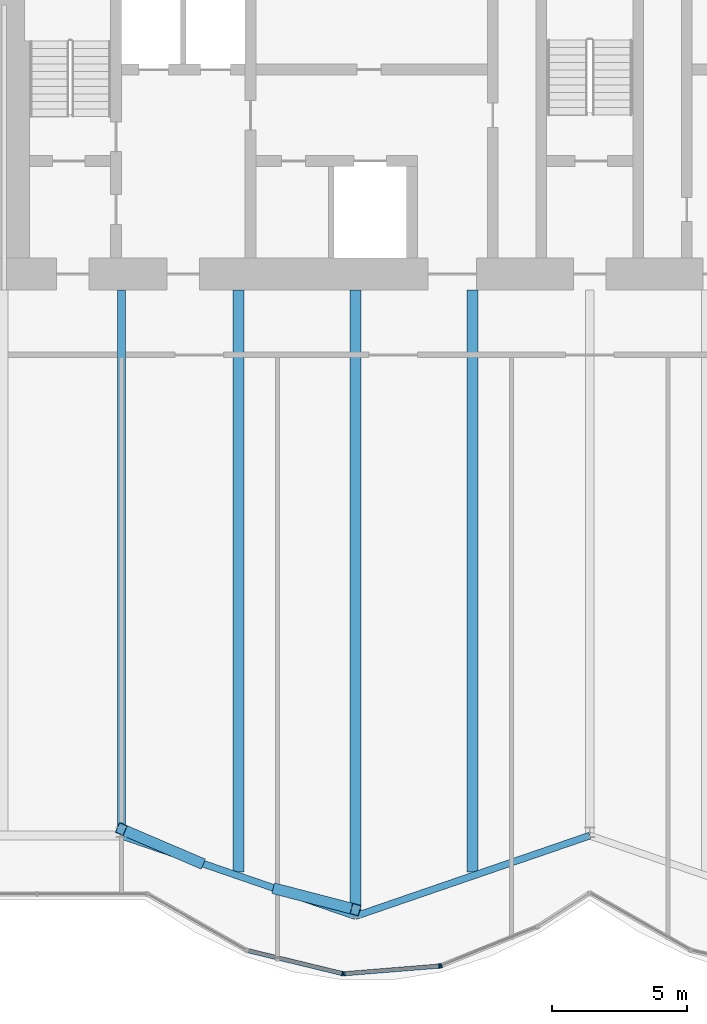
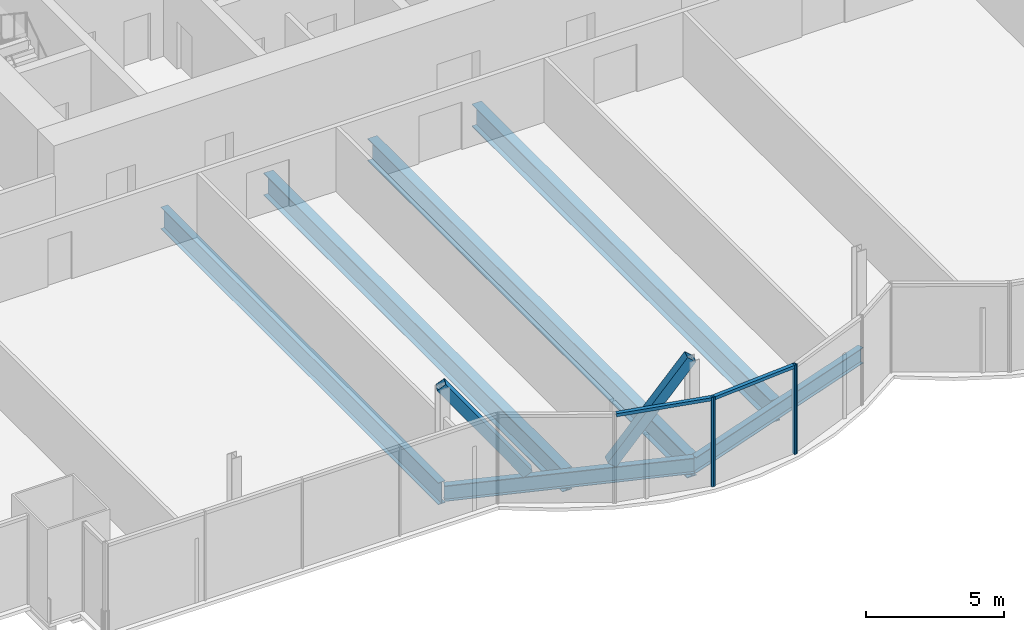
# One storey, part 6 of 22: 8 members, 6 beams, 1 element without a shape of its own.
"""IFC4 building model written with IfcOpenShell, lengths in metres."""

from ifc_helpers import new_model, si_unit, direction, frame, origin, origin_2d, place, context, subcontext, project, spatial, rectangle, hollow_rectangle, i_section, extrude, material, material_profile, profile_set, type_object, element, aggregate, save


model = new_model("IFC4")

# Units and contexts
model_context = context("Model", 3, precision=1e-05, world=origin(), true_north=direction((0.0, 1.0)))
body_context = subcontext(model_context, "Body", "Model", "MODEL_VIEW")
ifc_project = project(units=[si_unit("LENGTHUNIT", "METRE"), si_unit("AREAUNIT", "SQUARE_METRE"), si_unit("VOLUMEUNIT", "CUBIC_METRE"), si_unit("PLANEANGLEUNIT", "RADIAN"), si_unit("MASSUNIT", "GRAM", prefix="KILO")], contexts=[model_context])

# Site, building, storey
site_placement = place(None, origin())
site = spatial("IfcSite", under=ifc_project, at=site_placement, CompositionType="ELEMENT")
building_placement = place(site_placement, origin())
building = spatial("IfcBuilding", under=site, at=building_placement, Name="Bicima Exchange Tower", CompositionType="ELEMENT")
storey_placement = place(building_placement, frame((0.0, 0.0, 148.60009765625)))
storey = spatial("IfcBuildingStorey", under=building, at=storey_placement, Name="L32", CompositionType="ELEMENT", Elevation=148.60009765625)

# Beams
ifc_material_1 = material(Name="Steel ASTM A992 Gr 50", Category="steel")
ifc_material_profile_1 = material_profile(ifc_material_1, i_section(OverallWidth=0.2998046875, OverallDepth=0.97021484375, WebThickness=0.01611328125, FlangeThickness=0.02099609375, at=origin_2d()))
ifc_profile_set_1 = profile_set([ifc_material_profile_1], Name="Steel ASTM A992 Gr 50")
beam_type_1 = type_object("IfcBeamType", Name="Floor beam W40x149", PredefinedType="JOIST", material=ifc_profile_set_1)
beam_1_placement = place(storey_placement, frame((-17.39990234375, -13.0, -0.63525390625), z_axis=(0.0, -1.0, 0.0), x_axis=(1.0, 0.0, 0.0)))
element("IfcBeam", 1, at=beam_1_placement, inside=storey, type_object=beam_type_1, Name="Floor beam", PredefinedType="JOIST", context=body_context, shape_type="SweptSolid", body=[
    extrude(i_section(OverallWidth=0.2998046875, OverallDepth=0.97021484375, WebThickness=0.01611328125, FlangeThickness=0.02099609375, at=origin_2d()), origin(), (0.0, 0.0, 1.0), 20.093505859375),
])
ifc_material_profile_2 = material_profile(ifc_material_1, i_section(OverallWidth=0.4013671875, OverallDepth=0.990478515625, WebThickness=0.0166015625, FlangeThickness=0.031005859375, at=origin_2d()))
ifc_profile_set_2 = profile_set([ifc_material_profile_2], Name="Steel ASTM A992 Gr 50")
beam_type_2 = type_object("IfcBeamType", Name="Floor beam W40x215", PredefinedType="JOIST", material=ifc_profile_set_2)
beam_2_placement = place(storey_placement, frame((-13.050048828125, -13.0, -0.6455078125), z_axis=(0.0, -1.0, 0.0), x_axis=(1.0, 0.0, 0.0)))
element("IfcBeam", 2, at=beam_2_placement, inside=storey, type_object=beam_type_2, Name="Floor beam", PredefinedType="JOIST", context=body_context, shape_type="SweptSolid", body=[
    extrude(i_section(OverallWidth=0.4013671875, OverallDepth=0.990478515625, WebThickness=0.0166015625, FlangeThickness=0.031005859375, at=origin_2d()), origin(), (0.0, 0.0, 1.0), 21.615966796875),
])
beam_3_placement = place(storey_placement, frame((-8.699951171875, -13.0, -0.6455078125), z_axis=(0.0, -1.0, 0.0), x_axis=(1.0, 0.0, 0.0)))
element("IfcBeam", 3, at=beam_3_placement, inside=storey, type_object=beam_type_2, Name="Floor beam", PredefinedType="JOIST", context=body_context, shape_type="SweptSolid", body=[
    extrude(i_section(OverallWidth=0.4013671875, OverallDepth=0.990478515625, WebThickness=0.0166015625, FlangeThickness=0.031005859375, at=origin_2d()), origin(), (0.0, 0.0, 1.0), 23.111328125),
])
beam_4_placement = place(storey_placement, frame((-4.35009765625, -13.0, -0.6455078125), z_axis=(0.0, -1.0, 0.0), x_axis=(1.0, 0.0, 0.0)))
element("IfcBeam", 4, at=beam_4_placement, inside=storey, type_object=beam_type_2, Name="Floor beam", PredefinedType="JOIST", context=body_context, shape_type="SweptSolid", body=[
    extrude(i_section(OverallWidth=0.4013671875, OverallDepth=0.990478515625, WebThickness=0.0166015625, FlangeThickness=0.031005859375, at=origin_2d()), origin(), (0.0, 0.0, 1.0), 21.615966796875),
])
ifc_material_profile_3 = material_profile(ifc_material_1, i_section(OverallWidth=0.256591796875, OverallDepth=0.693359375, WebThickness=0.014404296875, FlangeThickness=0.023681640625, at=origin_2d()))
ifc_profile_set_3 = profile_set([ifc_material_profile_3], Name="Steel ASTM A992 Gr 50")
beam_type_3 = type_object("IfcBeamType", Name="Front girder W27x114", PredefinedType="BEAM", material=ifc_profile_set_3)
for number, where, z_axis, x_axis, name in (
    (5, (-17.39990234375, -33.256103515625, -0.496826171875), (0.945674616091, -0.32511462668, 0.0), (0.32511462668, 0.945674616091, 0.0), "Front girder"),
    (6, (-8.699951171875, -36.2470703125, -0.496826171875), (0.945674616091, 0.32511462668, 0.0), (-0.32511462668, 0.945674616091, 0.0), "Front girder"),
):
    element("IfcBeam", number, at=place(storey_placement, frame(where, z_axis=z_axis, x_axis=x_axis)), inside=storey, type_object=beam_type_3, Name=name, PredefinedType="BEAM", context=body_context, shape_type="SweptSolid", body=[
        extrude(i_section(OverallWidth=0.256591796875, OverallDepth=0.693359375, WebThickness=0.014404296875, FlangeThickness=0.023681640625, at=origin_2d()), origin(), (0.0, 0.0, 1.0), 9.19970703125),
    ])

# Curtain wall, members
ifc_material_2 = material(Name="Anodised bronze aluminium", Category="aluminium")
curtain_wall_type = type_object("IfcCurtainWallType", Name="Front glass wall", PredefinedType="NOTDEFINED", material=ifc_material_2)
curtain_wall_placement = place(storey_placement, origin())
curtain_wall = element("IfcCurtainWall", 7, at=curtain_wall_placement, inside=storey, type_object=curtain_wall_type, Name="Front glass wall L32 run 6", PredefinedType="NOTDEFINED")
ifc_material_profile_4 = material_profile(ifc_material_2, rectangle(XDim=0.159912109375, YDim=0.06005859375, at=origin_2d()))
ifc_profile_set_4 = profile_set([ifc_material_profile_4], Name="Anodised bronze aluminium")
member_type_1 = type_object("IfcMemberType", Name="Front glass wall mullion 60 x 160", PredefinedType="MULLION", material=ifc_profile_set_4)
member_1_placement = place(storey_placement, frame((-9.177490234375, -38.3818359375, 0.0), z_axis=(0.0, 0.0, 1.0), x_axis=(0.235681529503, 0.971830343553, 0.0)))
member_1 = element("IfcMember", 8, at=member_1_placement, type_object=member_type_1, Name="Front glass wall mullion 2", PredefinedType="MULLION", context=body_context, shape_type="SweptSolid", body=[
    extrude(rectangle(XDim=0.159912109375, YDim=0.06005859375, at=origin_2d()), origin(), (0.0, 0.0, 1.0), 3.949951171875),
])
member_2_placement = place(storey_placement, frame((-9.118408203125, -38.38671875, 0.0), z_axis=(0.0, 0.0, 1.0), x_axis=(-0.080588612633, 0.99674744821, 0.0)))
member_2 = element("IfcMember", 9, at=member_2_placement, type_object=member_type_1, Name="Front glass wall mullion 1", PredefinedType="MULLION", context=body_context, shape_type="SweptSolid", body=[
    extrude(rectangle(XDim=0.159912109375, YDim=0.06005859375, at=origin_2d()), origin(), (0.0, 0.0, 1.0), 3.949951171875),
])
member_3_placement = place(storey_placement, frame((-5.583984375, -38.100830078125, 0.0), z_axis=(0.0, 0.0, 1.0), x_axis=(-0.080588612633, 0.99674744821, 0.0)))
member_3 = element("IfcMember", 10, at=member_3_placement, type_object=member_type_1, Name="Front glass wall mullion 2", PredefinedType="MULLION", context=body_context, shape_type="SweptSolid", body=[
    extrude(rectangle(XDim=0.159912109375, YDim=0.06005859375, at=origin_2d()), origin(), (0.0, 0.0, 1.0), 3.949951171875),
])
member_4_placement = place(storey_placement, frame((-5.526123046875, -38.087158203125, 0.0), z_axis=(0.0, 0.0, 1.0), x_axis=(-0.374705304, 0.92714396679, 0.0)))
member_4 = element("IfcMember", 11, at=member_4_placement, type_object=member_type_1, Name="Front glass wall mullion 1", PredefinedType="MULLION", context=body_context, shape_type="SweptSolid", body=[
    extrude(rectangle(XDim=0.159912109375, YDim=0.06005859375, at=origin_2d()), origin(), (0.0, 0.0, 1.0), 3.949951171875),
])
ifc_material_profile_5 = material_profile(ifc_material_2, rectangle(XDim=0.159912109375, YDim=0.139892578125, at=origin_2d()))
ifc_profile_set_5 = profile_set([ifc_material_profile_5], Name="Anodised bronze aluminium")
member_type_2 = type_object("IfcMemberType", Name="Front glass wall transom 140 x 160", PredefinedType="USERDEFINED", material=ifc_profile_set_5)
member_5_placement = place(storey_placement, frame((-12.68896484375, -37.5302734375, 3.8798828125), z_axis=(0.971817951661, -0.235732621477, 0.0), x_axis=(0.235732621477, 0.971817951661, 0.0)))
member_5 = element("IfcMember", 12, at=member_5_placement, type_object=member_type_2, Name="Front glass wall transom 1.1", ObjectType="TRANSOM", PredefinedType="USERDEFINED", context=body_context, shape_type="SweptSolid", body=[
    extrude(rectangle(XDim=0.159912109375, YDim=0.139892578125, at=origin_2d()), origin(), (0.0, 0.0, 1.0), 3.58349609375),
])
member_6_placement = place(storey_placement, frame((-9.08837890625, -38.38427734375, 3.8798828125), z_axis=(0.9967456465, 0.080610893699, 0.0), x_axis=(-0.080610893699, 0.9967456465, 0.0)))
member_6 = element("IfcMember", 13, at=member_6_placement, type_object=member_type_2, Name="Front glass wall transom 1.1", ObjectType="TRANSOM", PredefinedType="USERDEFINED", context=body_context, shape_type="SweptSolid", body=[
    extrude(rectangle(XDim=0.159912109375, YDim=0.139892578125, at=origin_2d()), origin(), (0.0, 0.0, 1.0), 3.48583984375),
])
aggregate(curtain_wall, [member_1, member_5, member_2, member_3, member_6, member_4])

# Members
ifc_material_3 = material(Name="Steel ASTM A572 Gr 50", Category="steel")
ifc_material_profile_6 = material_profile(ifc_material_3, hollow_rectangle(XDim=0.406494140625, YDim=0.406494140625, WallThickness=0.017822265625, at=origin_2d()))
ifc_profile_set_6 = profile_set([ifc_material_profile_6], Name="Steel ASTM A572 Gr 50")
member_type_3 = type_object("IfcMemberType", Name="Mega brace HSS16x16x3/4", PredefinedType="BRACE", material=ifc_profile_set_6)
member_7_placement = place(storey_placement, frame((-11.60009765625, -35.25, 0.0), z_axis=(0.571110577568, -0.148318556427, 0.807362566639), x_axis=(0.251363668904, 0.967892714073, 0.0)))
element("IfcMember", 14, at=member_7_placement, inside=storey, type_object=member_type_3, Name="Mega brace front", PredefinedType="BRACE", context=body_context, shape_type="SweptSolid", body=[
    extrude(hollow_rectangle(XDim=0.406494140625, YDim=0.406494140625, WallThickness=0.017822265625, at=origin_2d()), origin(), (0.0, 0.0, 1.0), 5.078125),
])
member_8_placement = place(storey_placement, frame((-14.5, -34.2529296875, 0.0), z_axis=(-0.560602039363, 0.239900670659, 0.79257366956), x_axis=(-0.393424148395, -0.919357079409, 0.0)))
element("IfcMember", 15, at=member_8_placement, inside=storey, type_object=member_type_3, Name="Mega brace front", PredefinedType="BRACE", context=body_context, shape_type="SweptSolid", body=[
    extrude(hollow_rectangle(XDim=0.406494140625, YDim=0.406494140625, WallThickness=0.017822265625, at=origin_2d()), origin(), (0.0, 0.0, 1.0), 5.1728515625),
])

save(model, "model.ifc")
